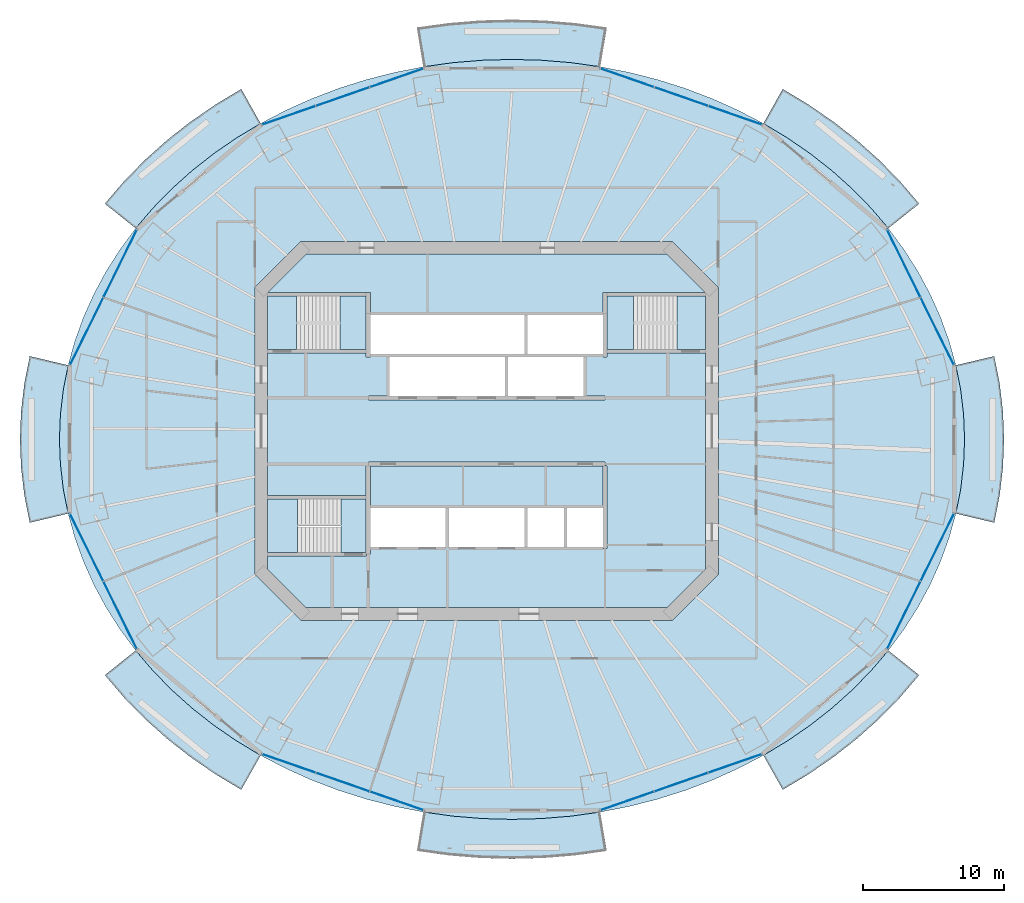
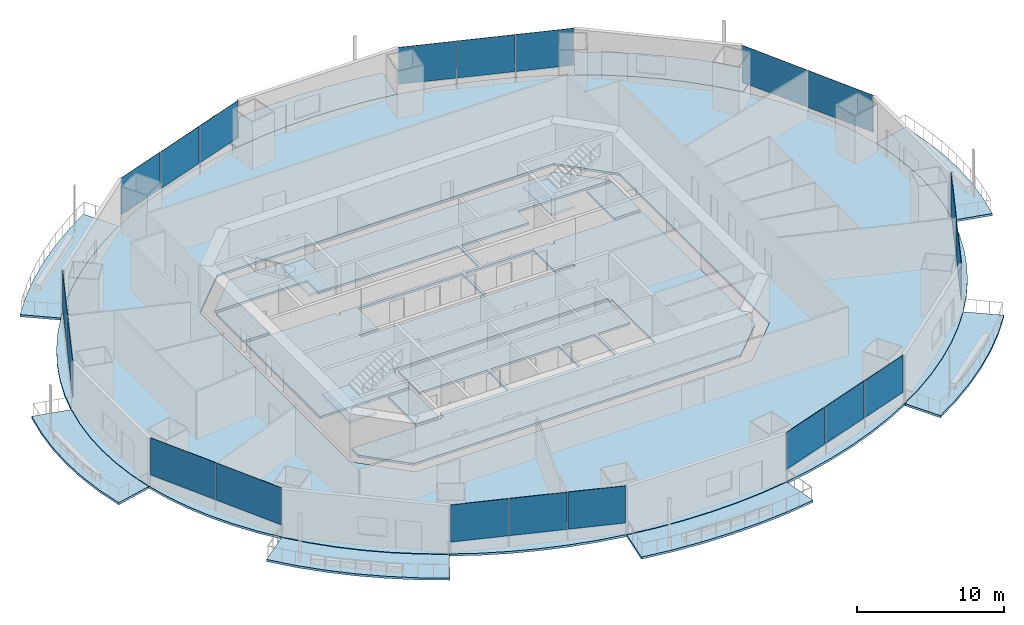
# One storey, part 10 of 20: 20 plates, 16 slabs, 11 elements without a shape of their own.
"""IFC4 building model written with IfcOpenShell, lengths in metres."""

from ifc_helpers import new_model, si_unit, direction, frame, origin, origin_2d, place, context, subcontext, project, spatial, polyline, rectangle, outline, extrude, material, layer, layer_set, type_object, element, aggregate, save


model = new_model("IFC4")

# Units and contexts
model_context = context("Model", 3, precision=1e-05, world=origin(), true_north=direction((0.0, 1.0)))
body_context = subcontext(model_context, "Body", "Model", "MODEL_VIEW")
ifc_project = project(units=[si_unit("LENGTHUNIT", "METRE"), si_unit("AREAUNIT", "SQUARE_METRE"), si_unit("VOLUMEUNIT", "CUBIC_METRE"), si_unit("PLANEANGLEUNIT", "RADIAN"), si_unit("MASSUNIT", "GRAM", prefix="KILO")], contexts=[model_context])

# Site, building, storey
site_placement = place(None, origin())
site = spatial("IfcSite", under=ifc_project, at=site_placement, CompositionType="ELEMENT")
building_placement = place(site_placement, origin())
building = spatial("IfcBuilding", under=site, at=building_placement, Name="Marenthal Gate Tower", CompositionType="ELEMENT")
storey_placement = place(building_placement, frame((0.0, 0.0, 194.25)))
storey = spatial("IfcBuildingStorey", under=building, at=storey_placement, Name="L42", CompositionType="ELEMENT", Elevation=194.25)

# Slabs
ifc_material_1 = material(Name="Concrete 40 MPa", Category="concrete")
ifc_layer_1 = layer(ifc_material_1, 0.179931640625)
ifc_layer_set_1 = layer_set([ifc_layer_1], Name="Balcony deck 180")
slab_type_1 = type_object("IfcSlabType", Name="Balcony deck 180", PredefinedType="USERDEFINED", material=ifc_layer_set_1)
slab_1_placement = place(storey_placement, frame((0.0, 0.0, -0.219970703125)))
element("IfcSlab", 1, at=slab_1_placement, inside=storey, type_object=slab_type_1, Name="Balcony deck L42 bay 2", ObjectType="BALCONY", PredefinedType="USERDEFINED", context=body_context, shape_type="SweptSolid", body=[
    extrude(outline(polyline([(28.519287109375, 14.389892578125), (27.29443359375, 15.824951171875), (25.96044921875, 17.189697265625), (24.52294921875, 18.478515625), (22.988037109375, 19.685302734375), (21.362548828125, 20.805419921875), (19.6533203125, 21.833984375), (21.023193359375, 24.27587890625), (22.87890625, 23.1591796875), (24.648193359375, 21.940185546875), (26.3232421875, 20.622802734375), (27.896728515625, 19.21240234375), (29.361328125, 17.7138671875), (30.710205078125, 16.13330078125), (28.519287109375, 14.389892578125)])), origin(), (0.0, 0.0, 1.0), 0.179931640625),
])
slab_2_placement = place(storey_placement, frame((0.0, 0.0, -0.219970703125)))
element("IfcSlab", 2, at=slab_2_placement, inside=storey, type_object=slab_type_1, Name="Balcony deck L42 bay 4", ObjectType="BALCONY", PredefinedType="USERDEFINED", context=body_context, shape_type="SweptSolid", body=[
    extrude(outline(polyline([(8.069091796875, 25.862548828125), (5.994384765625, 26.150146484375), (3.901611328125, 26.3232421875), (1.800048828125, 26.381103515625), (-0.3017578125, 26.3232421875), (-2.39453125, 26.150146484375), (-4.46923828125, 25.862548828125), (-4.930419921875, 28.624267578125), (-2.7021484375, 28.933349609375), (-0.45556640625, 29.118896484375), (1.800048828125, 29.180908203125), (4.0556640625, 29.118896484375), (6.30224609375, 28.933349609375), (8.530517578125, 28.624267578125), (8.069091796875, 25.862548828125)])), origin(), (0.0, 0.0, 1.0), 0.179931640625),
])
slab_3_placement = place(storey_placement, frame((0.0, 0.0, -0.219970703125)))
element("IfcSlab", 3, at=slab_3_placement, inside=storey, type_object=slab_type_1, Name="Balcony deck L42 bay 6", ObjectType="BALCONY", PredefinedType="USERDEFINED", context=body_context, shape_type="SweptSolid", body=[
    extrude(outline(polyline([(-16.05322265625, 21.833984375), (-17.762451171875, 20.805419921875), (-19.38818359375, 19.685302734375), (-20.9228515625, 18.478515625), (-22.3603515625, 17.189697265625), (-23.6943359375, 15.824951171875), (-24.919189453125, 14.389892578125), (-27.110107421875, 16.13330078125), (-25.76123046875, 17.7138671875), (-24.296630859375, 19.21240234375), (-22.723388671875, 20.622802734375), (-21.04833984375, 21.940185546875), (-19.279052734375, 23.1591796875), (-17.423095703125, 24.27587890625), (-16.05322265625, 21.833984375)])), origin(), (0.0, 0.0, 1.0), 0.179931640625),
])
slab_4_placement = place(storey_placement, frame((0.0, 0.0, -0.219970703125)))
element("IfcSlab", 4, at=slab_4_placement, inside=storey, type_object=slab_type_1, Name="Balcony deck L42 bay 8", ObjectType="BALCONY", PredefinedType="USERDEFINED", context=body_context, shape_type="SweptSolid", body=[
    extrude(outline(polyline([(-29.717529296875, 4.663818359375), (-30.06005859375, 2.921630859375), (-30.26611328125, 1.16455078125), (-30.3349609375, -0.60009765625), (-30.26611328125, -2.364501953125), (-30.06005859375, -4.12158203125), (-29.717529296875, -5.86376953125), (-32.442138671875, -6.50927734375), (-32.826416015625, -4.555419921875), (-33.0576171875, -2.58251953125), (-33.135009765625, -0.60009765625), (-33.0576171875, 1.382568359375), (-32.826416015625, 3.35546875), (-32.442138671875, 5.30908203125), (-29.717529296875, 4.663818359375)])), origin(), (0.0, 0.0, 1.0), 0.179931640625),
])
slab_5_placement = place(storey_placement, frame((0.0, 0.0, -0.219970703125)))
element("IfcSlab", 5, at=slab_5_placement, inside=storey, type_object=slab_type_1, Name="Balcony deck L42 bay 10", ObjectType="BALCONY", PredefinedType="USERDEFINED", context=body_context, shape_type="SweptSolid", body=[
    extrude(outline(polyline([(-24.919189453125, -15.58984375), (-23.6943359375, -17.02490234375), (-22.3603515625, -18.389892578125), (-20.9228515625, -19.678466796875), (-19.38818359375, -20.885498046875), (-17.762451171875, -22.005615234375), (-16.05322265625, -23.033935546875), (-17.423095703125, -25.475830078125), (-19.279052734375, -24.359375), (-21.04833984375, -23.14013671875), (-22.723388671875, -21.82275390625), (-24.296630859375, -20.412353515625), (-25.76123046875, -18.913818359375), (-27.110107421875, -17.333251953125), (-24.919189453125, -15.58984375)])), origin(), (0.0, 0.0, 1.0), 0.179931640625),
])
slab_6_placement = place(storey_placement, frame((0.0, 0.0, -0.219970703125)))
element("IfcSlab", 6, at=slab_6_placement, inside=storey, type_object=slab_type_1, Name="Balcony deck L42 bay 12", ObjectType="BALCONY", PredefinedType="USERDEFINED", context=body_context, shape_type="SweptSolid", body=[
    extrude(outline(polyline([(-4.46923828125, -27.0625), (-2.39453125, -27.35009765625), (-0.3017578125, -27.523193359375), (1.800048828125, -27.5810546875), (3.901611328125, -27.523193359375), (5.994384765625, -27.35009765625), (8.069091796875, -27.0625), (8.530517578125, -29.824462890625), (6.30224609375, -30.13330078125), (4.0556640625, -30.319091796875), (1.800048828125, -30.381103515625), (-0.45556640625, -30.319091796875), (-2.7021484375, -30.13330078125), (-4.930419921875, -29.824462890625), (-4.46923828125, -27.0625)])), origin(), (0.0, 0.0, 1.0), 0.179931640625),
])
slab_7_placement = place(storey_placement, frame((0.0, 0.0, -0.219970703125)))
element("IfcSlab", 7, at=slab_7_placement, inside=storey, type_object=slab_type_1, Name="Balcony deck L42 bay 14", ObjectType="BALCONY", PredefinedType="USERDEFINED", context=body_context, shape_type="SweptSolid", body=[
    extrude(outline(polyline([(19.6533203125, -23.033935546875), (21.362548828125, -22.005615234375), (22.988037109375, -20.885498046875), (24.52294921875, -19.678466796875), (25.96044921875, -18.389892578125), (27.29443359375, -17.02490234375), (28.519287109375, -15.58984375), (30.710205078125, -17.333251953125), (29.361328125, -18.913818359375), (27.896728515625, -20.412353515625), (26.3232421875, -21.82275390625), (24.648193359375, -23.14013671875), (22.87890625, -24.359375), (21.023193359375, -25.475830078125), (19.6533203125, -23.033935546875)])), origin(), (0.0, 0.0, 1.0), 0.179931640625),
])
slab_8_placement = place(storey_placement, frame((0.0, 0.0, -0.219970703125)))
element("IfcSlab", 8, at=slab_8_placement, inside=storey, type_object=slab_type_1, Name="Balcony deck L42 bay 16", ObjectType="BALCONY", PredefinedType="USERDEFINED", context=body_context, shape_type="SweptSolid", body=[
    extrude(outline(polyline([(33.3173828125, -5.86376953125), (33.66015625, -4.12158203125), (33.8662109375, -2.364501953125), (33.93505859375, -0.60009765625), (33.8662109375, 1.16455078125), (33.66015625, 2.921630859375), (33.3173828125, 4.663818359375), (36.0419921875, 5.30908203125), (36.42626953125, 3.35546875), (36.65771484375, 1.382568359375), (36.735107421875, -0.60009765625), (36.65771484375, -2.58251953125), (36.42626953125, -4.555419921875), (36.0419921875, -6.50927734375), (33.3173828125, -5.86376953125)])), origin(), (0.0, 0.0, 1.0), 0.179931640625),
])
ifc_material_2 = material(Name="Concrete 50 MPa", Category="concrete")
ifc_layer_2 = layer(ifc_material_2, 0.179931640625)
ifc_layer_set_2 = layer_set([ifc_layer_2], Name="Core floor slab 180")
slab_type_2 = type_object("IfcSlabType", Name="Core floor slab 180", PredefinedType="FLOOR", material=ifc_layer_set_2)
slab_9_placement = place(storey_placement, frame((0.0, 0.0, -0.179931640625)))
element("IfcSlab", 9, at=slab_9_placement, inside=storey, type_object=slab_type_2, Name="Core floor L42", PredefinedType="FLOOR", context=body_context, shape_type="SweptSolid", body=[
    extrude(outline(polyline([(12.813720703125, -12.550048828125), (-12.813720703125, -12.550048828125), (-15.550048828125, -9.813720703125), (-15.550048828125, -8.875), (-8.550048828125, -8.875), (-8.550048828125, -8.75), (-8.25, -8.75), (-8.25, -8.239990234375), (-5.60009765625, -8.239990234375), (-2.909912109375, -8.239990234375), (-2.909912109375, -5.4599609375), (-5.60009765625, -5.4599609375), (-8.25, -5.4599609375), (-8.25, -2.5), (8.25, -2.5), (8.25, -5.4599609375), (5.7099609375, -5.4599609375), (5.7099609375, -8.239990234375), (8.25, -8.239990234375), (8.25, -8.35009765625), (8.550048828125, -8.35009765625), (8.550048828125, -2.5), (8.39990234375, -2.5), (8.39990234375, -2.199951171875), (-8.39990234375, -2.199951171875), (-8.39990234375, -2.5), (-8.550048828125, -2.5), (-8.550048828125, -4.574951171875), (-15.550048828125, -4.574951171875), (-15.550048828125, 5.52490234375), (-8.550048828125, 5.52490234375), (-8.550048828125, 5.239990234375), (-8.25, 5.239990234375), (-8.25, 5.4599609375), (-5.60009765625, 5.4599609375), (-2.800048828125, 5.4599609375), (0.0, 5.4599609375), (2.68994140625, 5.4599609375), (2.68994140625, 8.239990234375), (0.0, 8.239990234375), (-2.800048828125, 8.239990234375), (-5.60009765625, 8.239990234375), (-8.25, 8.239990234375), (-8.25, 8.35009765625), (-8.25, 9.824951171875), (-8.550048828125, 9.824951171875), (-15.53857421875, 9.824951171875), (-12.813720703125, 12.550048828125), (12.813720703125, 12.550048828125), (15.53857421875, 9.824951171875), (8.550048828125, 9.824951171875), (8.25, 9.824951171875), (8.25, 8.35009765625), (8.25, 8.239990234375), (5.60009765625, 8.239990234375), (2.909912109375, 8.239990234375), (2.909912109375, 5.4599609375), (5.60009765625, 5.4599609375), (8.25, 5.4599609375), (8.25, 5.239990234375), (8.550048828125, 5.239990234375), (8.550048828125, 5.52490234375), (15.550048828125, 5.52490234375), (15.550048828125, -9.813720703125), (12.813720703125, -12.550048828125)]), holes=[polyline([(2.68994140625, -8.239990234375), (2.68994140625, -5.4599609375), (0.0, -5.4599609375), (-2.68994140625, -5.4599609375), (-2.68994140625, -8.239990234375), (0.0, -8.239990234375), (2.68994140625, -8.239990234375)]), polyline([(-6.889892578125, 5.239990234375), (-6.889892578125, 2.5), (-8.39990234375, 2.5), (-8.39990234375, 2.199951171875), (8.39990234375, 2.199951171875), (8.39990234375, 2.5), (6.889892578125, 2.5), (6.889892578125, 5.239990234375), (4.199951171875, 5.239990234375), (1.510009765625, 5.239990234375), (1.510009765625, 2.5), (1.2900390625, 2.5), (1.2900390625, 5.239990234375), (-1.39990234375, 5.239990234375), (-4.199951171875, 5.239990234375), (-6.889892578125, 5.239990234375)]), polyline([(5.489990234375, -5.4599609375), (2.909912109375, -5.4599609375), (2.909912109375, -8.239990234375), (5.489990234375, -8.239990234375), (5.489990234375, -5.4599609375)])]), origin(), (0.0, 0.0, 1.0), 0.179931640625),
])
slab_10_placement = place(storey_placement, frame((0.0, 0.0, -0.179931640625)))
element("IfcSlab", 10, at=slab_10_placement, inside=storey, type_object=slab_type_2, Name="Core floor L42", PredefinedType="FLOOR", context=body_context, shape_type="SweptSolid", body=[
    extrude(outline(polyline([(15.550048828125, 5.77490234375), (13.5, 5.77490234375), (13.5, 9.574951171875), (15.550048828125, 9.574951171875), (15.550048828125, 5.77490234375)])), origin(), (0.0, 0.0, 1.0), 0.179931640625),
])
slab_11_placement = place(storey_placement, frame((0.0, 0.0, -0.179931640625)))
element("IfcSlab", 11, at=slab_11_placement, inside=storey, type_object=slab_type_2, Name="Core floor L42", PredefinedType="FLOOR", context=body_context, shape_type="SweptSolid", body=[
    extrude(outline(polyline([(-15.550048828125, 9.574951171875), (-13.5, 9.574951171875), (-13.5, 5.77490234375), (-15.550048828125, 5.77490234375), (-15.550048828125, 9.574951171875)])), origin(), (0.0, 0.0, 1.0), 0.179931640625),
])
slab_12_placement = place(storey_placement, frame((0.0, 0.0, -0.179931640625)))
element("IfcSlab", 12, at=slab_12_placement, inside=storey, type_object=slab_type_2, Name="Core floor L42", PredefinedType="FLOOR", context=body_context, shape_type="SweptSolid", body=[
    extrude(outline(polyline([(-8.550048828125, -8.625), (-10.35009765625, -8.625), (-10.35009765625, -4.824951171875), (-8.550048828125, -4.824951171875), (-8.550048828125, -8.625)])), origin(), (0.0, 0.0, 1.0), 0.179931640625),
])
ifc_material_3 = material(Name="Concrete 35 MPa", Category="concrete")
ifc_layer_3 = layer(ifc_material_3, 0.179931640625)
ifc_layer_set_3 = layer_set([ifc_layer_3], Name="Floor slab 180")
slab_type_3 = type_object("IfcSlabType", Name="Floor slab 180", PredefinedType="FLOOR", material=ifc_layer_set_3)
slab_13_placement = place(storey_placement, frame((0.0, 0.0, -0.179931640625)))
element("IfcSlab", 13, at=slab_13_placement, inside=storey, type_object=slab_type_3, Name="SL-L42-01", PredefinedType="FLOOR", context=body_context, shape_type="SweptSolid", body=[
    extrude(outline(polyline([(33.93505859375, -0.60009765625), (33.8662109375, 1.16455078125), (33.66015625, 2.921630859375), (33.3173828125, 4.663818359375), (32.840087890625, 6.38330078125), (32.2294921875, 8.07275390625), (31.489013671875, 9.72509765625), (30.62109375, 11.33349609375), (29.629638671875, 12.890380859375), (28.519287109375, 14.389892578125), (27.29443359375, 15.824951171875), (25.96044921875, 17.189697265625), (24.52294921875, 18.478515625), (22.988037109375, 19.685302734375), (21.362548828125, 20.805419921875), (19.6533203125, 21.833984375), (17.867431640625, 22.76611328125), (16.012939453125, 23.598388671875), (14.097412109375, 24.3271484375), (12.12939453125, 24.94921875), (10.1171875, 25.461669921875), (8.069091796875, 25.862548828125), (5.994384765625, 26.150146484375), (3.901611328125, 26.3232421875), (1.800048828125, 26.381103515625), (-0.3017578125, 26.3232421875), (-2.39453125, 26.150146484375), (-4.46923828125, 25.862548828125), (-6.51708984375, 25.461669921875), (-8.529541015625, 24.94921875), (-10.49755859375, 24.3271484375), (-12.412841796875, 23.598388671875), (-14.267578125, 22.76611328125), (-16.05322265625, 21.833984375), (-17.762451171875, 20.805419921875), (-19.38818359375, 19.685302734375), (-20.9228515625, 18.478515625), (-22.3603515625, 17.189697265625), (-23.6943359375, 15.824951171875), (-24.919189453125, 14.389892578125), (-26.02978515625, 12.890380859375), (-27.02099609375, 11.33349609375), (-27.888916015625, 9.72509765625), (-28.629638671875, 8.07275390625), (-29.239990234375, 6.38330078125), (-29.717529296875, 4.663818359375), (-30.06005859375, 2.921630859375), (-30.26611328125, 1.16455078125), (-30.3349609375, -0.60009765625), (-30.26611328125, -2.364501953125), (-30.06005859375, -4.12158203125), (-29.717529296875, -5.86376953125), (-29.239990234375, -7.583251953125), (-28.629638671875, -9.272705078125), (-27.888916015625, -10.92529296875), (-27.02099609375, -12.533447265625), (-26.02978515625, -14.090576171875), (-24.919189453125, -15.58984375), (-23.6943359375, -17.02490234375), (-22.3603515625, -18.389892578125), (-20.9228515625, -19.678466796875), (-19.38818359375, -20.885498046875), (-17.762451171875, -22.005615234375), (-16.05322265625, -23.033935546875), (-14.267578125, -23.96630859375), (-12.412841796875, -24.798583984375), (-10.49755859375, -25.527099609375), (-8.529541015625, -26.149169921875), (-6.51708984375, -26.66162109375), (-4.46923828125, -27.0625), (-2.39453125, -27.35009765625), (-0.3017578125, -27.523193359375), (1.800048828125, -27.5810546875), (3.901611328125, -27.523193359375), (5.994384765625, -27.35009765625), (8.069091796875, -27.0625), (10.1171875, -26.66162109375), (12.12939453125, -26.149169921875), (14.097412109375, -25.527099609375), (16.012939453125, -24.798583984375), (17.867431640625, -23.96630859375), (19.6533203125, -23.033935546875), (21.362548828125, -22.005615234375), (22.988037109375, -20.885498046875), (24.52294921875, -19.678466796875), (25.96044921875, -18.389892578125), (27.29443359375, -17.02490234375), (28.519287109375, -15.58984375), (29.629638671875, -14.090576171875), (30.62109375, -12.533447265625), (31.489013671875, -10.92529296875), (32.2294921875, -9.272705078125), (32.840087890625, -7.583251953125), (33.3173828125, -5.86376953125), (33.66015625, -4.12158203125), (33.8662109375, -2.364501953125), (33.93505859375, -0.60009765625)]), holes=[polyline([(13.186279296875, -13.449951171875), (16.449951171875, -10.186279296875), (16.449951171875, 10.186279296875), (13.186279296875, 13.449951171875), (-13.186279296875, 13.449951171875), (-16.449951171875, 10.186279296875), (-16.449951171875, -10.186279296875), (-13.186279296875, -13.449951171875), (13.186279296875, -13.449951171875)])]), origin(), (0.0, 0.0, 1.0), 0.179931640625),
])

# Curtain wall, plates
ifc_material_4 = material(Name="Aluminium and glass", Category="aluminium")
curtain_wall_type = type_object("IfcCurtainWallType", Name="Curtain wall typical mid", PredefinedType="NOTDEFINED", material=ifc_material_4)
curtain_wall_1_placement = place(storey_placement, origin())
curtain_wall_1 = element("IfcCurtainWall", 14, at=curtain_wall_1_placement, inside=storey, type_object=curtain_wall_type, Name="Curtain wall L42 bay 1", PredefinedType="NOTDEFINED")
ifc_material_5 = material(Name="Glass, laminated insulating unit", Category="glass")
ifc_layer_4 = layer(ifc_material_5, 0.030029296875)
ifc_layer_set_4 = layer_set([ifc_layer_4], Name="Glass panel 30 typical mid")
plate_type = type_object("IfcPlateType", Name="Glass panel 30 typical mid", PredefinedType="CURTAIN_PANEL", material=ifc_layer_set_4)
plate_1_placement = place(storey_placement, frame((31.998046875, 7.074462890625, 0.89990234375), z_axis=(0.0, 0.0, 1.0), x_axis=(-0.442677643406, 0.896680826174, 0.0)))
plate_1 = element("IfcPlate", 15, at=plate_1_placement, type_object=plate_type, Name="Glass panel L42 bay 1.1", PredefinedType="CURTAIN_PANEL", context=body_context, shape_type="SweptSolid", body=[
    extrude(rectangle(XDim=5.309326171875, YDim=0.030029296875, at=origin_2d()), origin(), (0.0, 0.0, 1.0), 3.070068359375),
])
plate_2_placement = place(storey_placement, frame((29.621337890625, 11.888916015625, 0.89990234375), z_axis=(0.0, 0.0, 1.0), x_axis=(-0.442677643406, 0.896680826174, 0.0)))
plate_2 = element("IfcPlate", 16, at=plate_2_placement, type_object=plate_type, Name="Glass panel L42 bay 1.2", PredefinedType="CURTAIN_PANEL", context=body_context, shape_type="SweptSolid", body=[
    extrude(rectangle(XDim=5.309326171875, YDim=0.030029296875, at=origin_2d()), origin(), (0.0, 0.0, 1.0), 3.070068359375),
])
aggregate(curtain_wall_1, [plate_1, plate_2])

curtain_wall_2_placement = place(storey_placement, origin())
curtain_wall_2 = element("IfcCurtainWall", 17, at=curtain_wall_2_placement, inside=storey, type_object=curtain_wall_type, Name="Curtain wall L42 bay 3", PredefinedType="NOTDEFINED")
plate_3_placement = place(storey_placement, frame((17.644287109375, 22.4091796875, 0.89990234375), z_axis=(0.0, 0.0, 1.0), x_axis=(-0.944582890203, 0.328273001535, 0.0)))
plate_3 = element("IfcPlate", 18, at=plate_3_placement, type_object=plate_type, Name="Glass panel L42 bay 3.1", PredefinedType="CURTAIN_PANEL", context=body_context, shape_type="SweptSolid", body=[
    extrude(rectangle(XDim=3.99267578125, YDim=0.030029296875, at=origin_2d()), origin(), (0.0, 0.0, 1.0), 3.070068359375),
])
plate_4_placement = place(storey_placement, frame((13.816162109375, 23.739501953125, 0.89990234375), z_axis=(0.0, 0.0, 1.0), x_axis=(-0.944582890203, 0.328273001535, 0.0)))
plate_4 = element("IfcPlate", 19, at=plate_4_placement, type_object=plate_type, Name="Glass panel L42 bay 3.2", PredefinedType="CURTAIN_PANEL", context=body_context, shape_type="SweptSolid", body=[
    extrude(rectangle(XDim=3.99267578125, YDim=0.030029296875, at=origin_2d()), origin(), (0.0, 0.0, 1.0), 3.070068359375),
])
plate_5_placement = place(storey_placement, frame((9.988037109375, 25.06982421875, 0.89990234375), z_axis=(0.0, 0.0, 1.0), x_axis=(-0.944582890203, 0.328273001535, 0.0)))
plate_5 = element("IfcPlate", 20, at=plate_5_placement, type_object=plate_type, Name="Glass panel L42 bay 3.3", PredefinedType="CURTAIN_PANEL", context=body_context, shape_type="SweptSolid", body=[
    extrude(rectangle(XDim=3.99267578125, YDim=0.030029296875, at=origin_2d()), origin(), (0.0, 0.0, 1.0), 3.070068359375),
])
aggregate(curtain_wall_2, [plate_3, plate_4, plate_5])

curtain_wall_3_placement = place(storey_placement, origin())
curtain_wall_3 = element("IfcCurtainWall", 21, at=curtain_wall_3_placement, inside=storey, type_object=curtain_wall_type, Name="Curtain wall L42 bay 5", PredefinedType="NOTDEFINED")
plate_6_placement = place(storey_placement, frame((-6.38818359375, 25.06982421875, 0.89990234375), z_axis=(0.0, 0.0, 1.0), x_axis=(-0.944582890203, -0.328273001535, 0.0)))
plate_6 = element("IfcPlate", 22, at=plate_6_placement, type_object=plate_type, Name="Glass panel L42 bay 5.1", PredefinedType="CURTAIN_PANEL", context=body_context, shape_type="SweptSolid", body=[
    extrude(rectangle(XDim=3.99267578125, YDim=0.030029296875, at=origin_2d()), origin(), (0.0, 0.0, 1.0), 3.070068359375),
])
plate_7_placement = place(storey_placement, frame((-10.21630859375, 23.739501953125, 0.89990234375), z_axis=(0.0, 0.0, 1.0), x_axis=(-0.944582890203, -0.328273001535, 0.0)))
plate_7 = element("IfcPlate", 23, at=plate_7_placement, type_object=plate_type, Name="Glass panel L42 bay 5.2", PredefinedType="CURTAIN_PANEL", context=body_context, shape_type="SweptSolid", body=[
    extrude(rectangle(XDim=3.99267578125, YDim=0.030029296875, at=origin_2d()), origin(), (0.0, 0.0, 1.0), 3.070068359375),
])
plate_8_placement = place(storey_placement, frame((-14.044189453125, 22.4091796875, 0.89990234375), z_axis=(0.0, 0.0, 1.0), x_axis=(-0.944582890203, -0.328273001535, 0.0)))
plate_8 = element("IfcPlate", 24, at=plate_8_placement, type_object=plate_type, Name="Glass panel L42 bay 5.3", PredefinedType="CURTAIN_PANEL", context=body_context, shape_type="SweptSolid", body=[
    extrude(rectangle(XDim=3.99267578125, YDim=0.030029296875, at=origin_2d()), origin(), (0.0, 0.0, 1.0), 3.070068359375),
])
aggregate(curtain_wall_3, [plate_6, plate_7, plate_8])

curtain_wall_4_placement = place(storey_placement, origin())
curtain_wall_4 = element("IfcCurtainWall", 25, at=curtain_wall_4_placement, inside=storey, type_object=curtain_wall_type, Name="Curtain wall L42 bay 7", PredefinedType="NOTDEFINED")
plate_9_placement = place(storey_placement, frame((-26.021240234375, 11.888916015625, 0.89990234375), z_axis=(0.0, 0.0, 1.0), x_axis=(-0.442677643406, -0.896680826174, 0.0)))
plate_9 = element("IfcPlate", 26, at=plate_9_placement, type_object=plate_type, Name="Glass panel L42 bay 7.1", PredefinedType="CURTAIN_PANEL", context=body_context, shape_type="SweptSolid", body=[
    extrude(rectangle(XDim=5.309326171875, YDim=0.030029296875, at=origin_2d()), origin(), (0.0, 0.0, 1.0), 3.070068359375),
])
plate_10_placement = place(storey_placement, frame((-28.398193359375, 7.074462890625, 0.89990234375), z_axis=(0.0, 0.0, 1.0), x_axis=(-0.442677643406, -0.896680826174, 0.0)))
plate_10 = element("IfcPlate", 27, at=plate_10_placement, type_object=plate_type, Name="Glass panel L42 bay 7.2", PredefinedType="CURTAIN_PANEL", context=body_context, shape_type="SweptSolid", body=[
    extrude(rectangle(XDim=5.309326171875, YDim=0.030029296875, at=origin_2d()), origin(), (0.0, 0.0, 1.0), 3.070068359375),
])
aggregate(curtain_wall_4, [plate_9, plate_10])

curtain_wall_5_placement = place(storey_placement, origin())
curtain_wall_5 = element("IfcCurtainWall", 28, at=curtain_wall_5_placement, inside=storey, type_object=curtain_wall_type, Name="Curtain wall L42 bay 9", PredefinedType="NOTDEFINED")
plate_11_placement = place(storey_placement, frame((-28.398193359375, -8.2744140625, 0.89990234375), z_axis=(0.0, 0.0, 1.0), x_axis=(0.442677643406, -0.896680826174, 0.0)))
plate_11 = element("IfcPlate", 29, at=plate_11_placement, type_object=plate_type, Name="Glass panel L42 bay 9.1", PredefinedType="CURTAIN_PANEL", context=body_context, shape_type="SweptSolid", body=[
    extrude(rectangle(XDim=5.309326171875, YDim=0.030029296875, at=origin_2d()), origin(), (0.0, 0.0, 1.0), 3.070068359375),
])
plate_12_placement = place(storey_placement, frame((-26.021240234375, -13.089111328125, 0.89990234375), z_axis=(0.0, 0.0, 1.0), x_axis=(0.442677643406, -0.896680826174, 0.0)))
plate_12 = element("IfcPlate", 30, at=plate_12_placement, type_object=plate_type, Name="Glass panel L42 bay 9.2", PredefinedType="CURTAIN_PANEL", context=body_context, shape_type="SweptSolid", body=[
    extrude(rectangle(XDim=5.309326171875, YDim=0.030029296875, at=origin_2d()), origin(), (0.0, 0.0, 1.0), 3.070068359375),
])
aggregate(curtain_wall_5, [plate_11, plate_12])

curtain_wall_6_placement = place(storey_placement, origin())
curtain_wall_6 = element("IfcCurtainWall", 31, at=curtain_wall_6_placement, inside=storey, type_object=curtain_wall_type, Name="Curtain wall L42 bay 11", PredefinedType="NOTDEFINED")
plate_13_placement = place(storey_placement, frame((-14.044189453125, -23.609130859375, 0.89990234375), z_axis=(0.0, 0.0, 1.0), x_axis=(0.944582890203, -0.328273001535, 0.0)))
plate_13 = element("IfcPlate", 32, at=plate_13_placement, type_object=plate_type, Name="Glass panel L42 bay 11.1", PredefinedType="CURTAIN_PANEL", context=body_context, shape_type="SweptSolid", body=[
    extrude(rectangle(XDim=3.99267578125, YDim=0.030029296875, at=origin_2d()), origin(), (0.0, 0.0, 1.0), 3.070068359375),
])
plate_14_placement = place(storey_placement, frame((-10.21630859375, -24.939453125, 0.89990234375), z_axis=(0.0, 0.0, 1.0), x_axis=(0.944582890203, -0.328273001535, 0.0)))
plate_14 = element("IfcPlate", 33, at=plate_14_placement, type_object=plate_type, Name="Glass panel L42 bay 11.2", PredefinedType="CURTAIN_PANEL", context=body_context, shape_type="SweptSolid", body=[
    extrude(rectangle(XDim=3.99267578125, YDim=0.030029296875, at=origin_2d()), origin(), (0.0, 0.0, 1.0), 3.070068359375),
])
plate_15_placement = place(storey_placement, frame((-6.38818359375, -26.269775390625, 0.89990234375), z_axis=(0.0, 0.0, 1.0), x_axis=(0.944582890203, -0.328273001535, 0.0)))
plate_15 = element("IfcPlate", 34, at=plate_15_placement, type_object=plate_type, Name="Glass panel L42 bay 11.3", PredefinedType="CURTAIN_PANEL", context=body_context, shape_type="SweptSolid", body=[
    extrude(rectangle(XDim=3.99267578125, YDim=0.030029296875, at=origin_2d()), origin(), (0.0, 0.0, 1.0), 3.070068359375),
])
aggregate(curtain_wall_6, [plate_13, plate_14, plate_15])

curtain_wall_7_placement = place(storey_placement, origin())
curtain_wall_7 = element("IfcCurtainWall", 35, at=curtain_wall_7_placement, inside=storey, type_object=curtain_wall_type, Name="Curtain wall L42 bay 13", PredefinedType="NOTDEFINED")
plate_16_placement = place(storey_placement, frame((9.988037109375, -26.269775390625, 0.89990234375), z_axis=(0.0, 0.0, 1.0), x_axis=(0.944582890203, 0.328273001535, 0.0)))
plate_16 = element("IfcPlate", 36, at=plate_16_placement, type_object=plate_type, Name="Glass panel L42 bay 13.1", PredefinedType="CURTAIN_PANEL", context=body_context, shape_type="SweptSolid", body=[
    extrude(rectangle(XDim=3.99267578125, YDim=0.030029296875, at=origin_2d()), origin(), (0.0, 0.0, 1.0), 3.070068359375),
])
plate_17_placement = place(storey_placement, frame((13.816162109375, -24.939453125, 0.89990234375), z_axis=(0.0, 0.0, 1.0), x_axis=(0.944582890203, 0.328273001535, 0.0)))
plate_17 = element("IfcPlate", 37, at=plate_17_placement, type_object=plate_type, Name="Glass panel L42 bay 13.2", PredefinedType="CURTAIN_PANEL", context=body_context, shape_type="SweptSolid", body=[
    extrude(rectangle(XDim=3.99267578125, YDim=0.030029296875, at=origin_2d()), origin(), (0.0, 0.0, 1.0), 3.070068359375),
])
plate_18_placement = place(storey_placement, frame((17.644287109375, -23.609130859375, 0.89990234375), z_axis=(0.0, 0.0, 1.0), x_axis=(0.944582890203, 0.328273001535, 0.0)))
plate_18 = element("IfcPlate", 38, at=plate_18_placement, type_object=plate_type, Name="Glass panel L42 bay 13.3", PredefinedType="CURTAIN_PANEL", context=body_context, shape_type="SweptSolid", body=[
    extrude(rectangle(XDim=3.99267578125, YDim=0.030029296875, at=origin_2d()), origin(), (0.0, 0.0, 1.0), 3.070068359375),
])
aggregate(curtain_wall_7, [plate_16, plate_17, plate_18])

curtain_wall_8_placement = place(storey_placement, origin())
curtain_wall_8 = element("IfcCurtainWall", 39, at=curtain_wall_8_placement, inside=storey, type_object=curtain_wall_type, Name="Curtain wall L42 bay 15", PredefinedType="NOTDEFINED")
plate_19_placement = place(storey_placement, frame((29.62109375, -13.089111328125, 0.89990234375), z_axis=(0.0, 0.0, 1.0), x_axis=(0.442677643406, 0.896680826174, 0.0)))
plate_19 = element("IfcPlate", 40, at=plate_19_placement, type_object=plate_type, Name="Glass panel L42 bay 15.1", PredefinedType="CURTAIN_PANEL", context=body_context, shape_type="SweptSolid", body=[
    extrude(rectangle(XDim=5.309326171875, YDim=0.030029296875, at=origin_2d()), origin(), (0.0, 0.0, 1.0), 3.070068359375),
])
plate_20_placement = place(storey_placement, frame((31.998046875, -8.2744140625, 0.89990234375), z_axis=(0.0, 0.0, 1.0), x_axis=(0.442677643406, 0.896680826174, 0.0)))
plate_20 = element("IfcPlate", 41, at=plate_20_placement, type_object=plate_type, Name="Glass panel L42 bay 15.2", PredefinedType="CURTAIN_PANEL", context=body_context, shape_type="SweptSolid", body=[
    extrude(rectangle(XDim=5.309326171875, YDim=0.030029296875, at=origin_2d()), origin(), (0.0, 0.0, 1.0), 3.070068359375),
])
aggregate(curtain_wall_8, [plate_19, plate_20])

# Stair, slab
ifc_material_6 = material(Name="Concrete 40 MPa", Category="concrete")
stair_type = type_object("IfcStairType", Name="Exit stair 1800", PredefinedType="HALF_TURN_STAIR", material=ifc_material_6)
stair_1_placement = place(storey_placement, origin())
stair_1 = element("IfcStair", 42, at=stair_1_placement, inside=storey, type_object=stair_type, Name="Stair ST1", PredefinedType="HALF_TURN_STAIR")
ifc_material_7 = material(Name="Concrete 40 MPa", Category="concrete")
ifc_layer_5 = layer(ifc_material_7, 0.199951171875)
ifc_layer_set_5 = layer_set([ifc_layer_5], Name="Stair landing 200")
slab_type_4 = type_object("IfcSlabType", Name="Stair landing 200", PredefinedType="LANDING", material=ifc_layer_set_5)
slab_14_placement = place(storey_placement, frame((0.0, 0.0, 1.875)))
slab_14 = element("IfcSlab", 43, at=slab_14_placement, type_object=slab_type_4, Name="ST1 landing 1", PredefinedType="LANDING", context=body_context, shape_type="SweptSolid", body=[
    extrude(outline(polyline([(-10.419921875, 5.77490234375), (-8.550048828125, 5.77490234375), (-8.550048828125, 9.574951171875), (-10.419921875, 9.574951171875), (-10.419921875, 5.77490234375)])), origin(), (0.0, 0.0, 1.0), 0.199951171875),
])
aggregate(stair_1, [slab_14])

stair_2_placement = place(storey_placement, origin())
stair_2 = element("IfcStair", 44, at=stair_2_placement, inside=storey, type_object=stair_type, Name="Stair ST2", PredefinedType="HALF_TURN_STAIR")
slab_15_placement = place(storey_placement, frame((0.0, 0.0, 1.875)))
slab_15 = element("IfcSlab", 45, at=slab_15_placement, type_object=slab_type_4, Name="ST2 landing 1", PredefinedType="LANDING", context=body_context, shape_type="SweptSolid", body=[
    extrude(outline(polyline([(-15.550048828125, -8.625), (-13.429931640625, -8.625), (-13.429931640625, -4.824951171875), (-15.550048828125, -4.824951171875), (-15.550048828125, -8.625)])), origin(), (0.0, 0.0, 1.0), 0.199951171875),
])
aggregate(stair_2, [slab_15])

stair_3_placement = place(storey_placement, origin())
stair_3 = element("IfcStair", 46, at=stair_3_placement, inside=storey, type_object=stair_type, Name="Stair ST3", PredefinedType="HALF_TURN_STAIR")
slab_16_placement = place(storey_placement, frame((0.0, 0.0, 1.875)))
slab_16 = element("IfcSlab", 47, at=slab_16_placement, type_object=slab_type_4, Name="ST3 landing 1", PredefinedType="LANDING", context=body_context, shape_type="SweptSolid", body=[
    extrude(outline(polyline([(8.550048828125, 5.77490234375), (10.419921875, 5.77490234375), (10.419921875, 9.574951171875), (8.550048828125, 9.574951171875), (8.550048828125, 5.77490234375)])), origin(), (0.0, 0.0, 1.0), 0.199951171875),
])
aggregate(stair_3, [slab_16])

save(model, "model.ifc")
